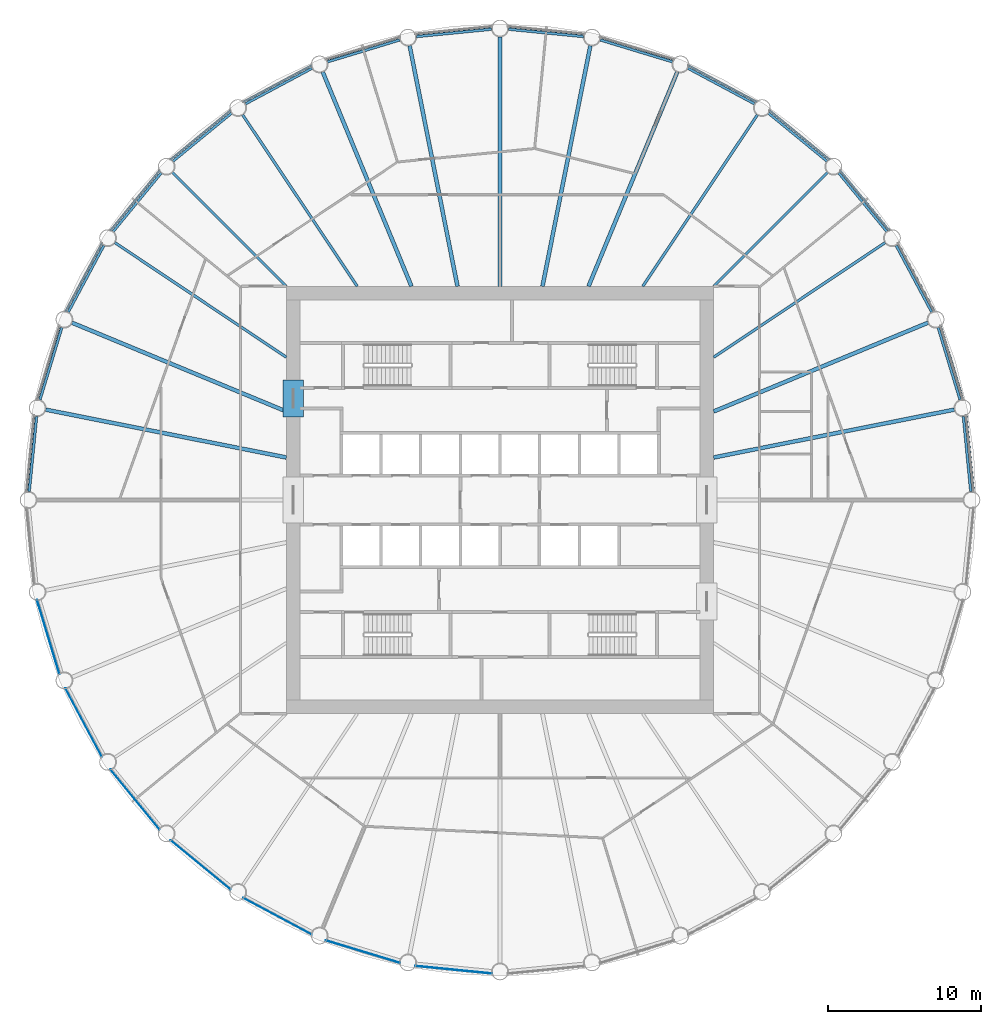
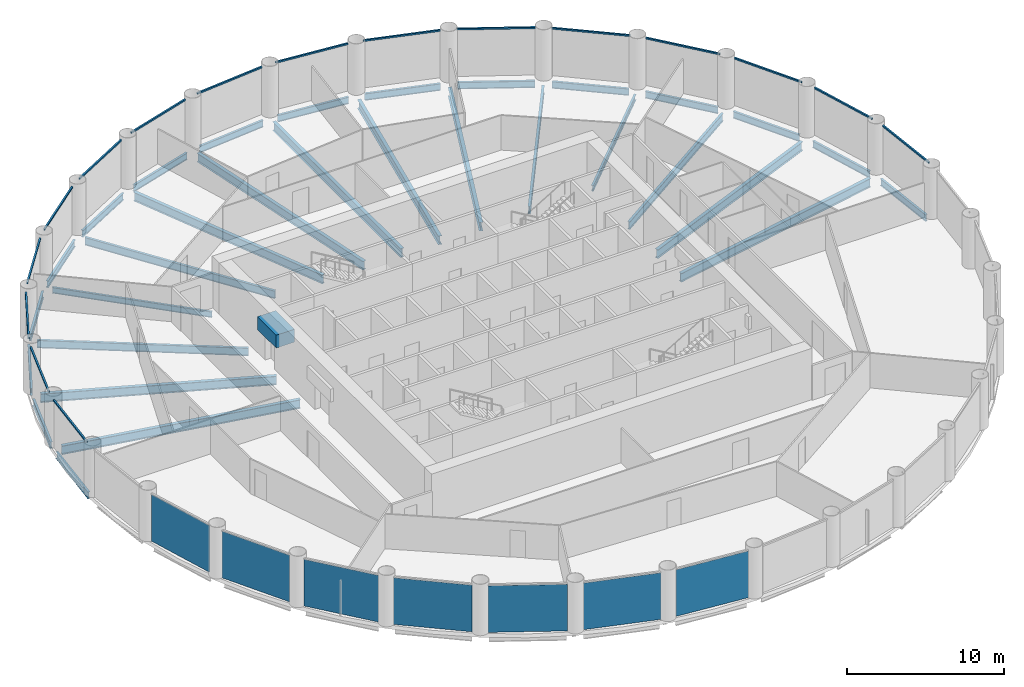
# One storey, part 2 of 9: 32 beams, 16 members, 7 plates, 23 elements without a shape of their own.
"""IFC4 building model written with IfcOpenShell, lengths in metres."""

from ifc_helpers import new_model, si_unit, direction, frame, origin, origin_2d, place, context, subcontext, project, spatial, rectangle, i_section, extrude, material, layer, layer_set, material_profile, profile_set, type_object, element, aggregate, save


model = new_model("IFC4")

# Units and contexts
model_context = context("Model", 3, precision=1e-05, world=origin(), true_north=direction((0.0, 1.0)))
body_context = subcontext(model_context, "Body", "Model", "MODEL_VIEW")
ifc_project = project(units=[si_unit("LENGTHUNIT", "METRE"), si_unit("AREAUNIT", "SQUARE_METRE"), si_unit("VOLUMEUNIT", "CUBIC_METRE"), si_unit("PLANEANGLEUNIT", "RADIAN"), si_unit("MASSUNIT", "GRAM", prefix="KILO")], contexts=[model_context])

# Site, building, storey
site_placement = place(None, origin())
site = spatial("IfcSite", under=ifc_project, at=site_placement, CompositionType="ELEMENT")
building_placement = place(site_placement, origin())
building = spatial("IfcBuilding", under=site, at=building_placement, Name="Corvane Civic Tower", CompositionType="ELEMENT")
storey_placement = place(building_placement, frame((0.0, 0.0, 184.0)))
storey = spatial("IfcBuildingStorey", under=building, at=storey_placement, Name="L43", CompositionType="ELEMENT", Elevation=184.0)

# Beams
ifc_material_1 = material(Name="Concrete C60/75", Category="concrete")
ifc_material_profile_1 = material_profile(ifc_material_1, rectangle(XDim=1.35009765625, YDim=1.0, at=origin_2d()), Name="COUPLING BEAM 1350X1000")
ifc_profile_set_1 = profile_set([ifc_material_profile_1], Name="Concrete C60/75")
beam_type_1 = type_object("IfcBeamType", Name="COUPLING BEAM COUPLING BEAM 1350X1000", PredefinedType="BEAM", material=ifc_profile_set_1)
beam_1_placement = place(storey_placement, frame((-13.550048828125, 5.449951171875, 2.60009765625), z_axis=(0.0, 1.0, 0.0), x_axis=(-1.0, 0.0, 0.0)))
element("IfcBeam", 1, at=beam_1_placement, inside=storey, type_object=beam_type_1, Name="BM-L43-cpl-CW-WN", PredefinedType="BEAM", context=body_context, shape_type="SweptSolid", body=[
    extrude(rectangle(XDim=1.35009765625, YDim=1.0, at=origin_2d()), origin(), (0.0, 0.0, 1.0), 2.400146484375),
])
ifc_material_2 = material(Name="Steel ASTM A992 Gr 50", Category="steel")
ifc_material_profile_2 = material_profile(ifc_material_2, i_section(OverallWidth=0.165771484375, OverallDepth=0.5283203125, WebThickness=0.009765625, FlangeThickness=0.013671875, at=origin_2d()), Name="W21X50")
ifc_profile_set_2 = profile_set([ifc_material_profile_2], Name="Steel ASTM A992 Gr 50")
beam_type_2 = type_object("IfcBeamType", Name="EDGE BEAM W21X50", PredefinedType="BEAM", material=ifc_profile_set_2)
beam_2_placement = place(storey_placement, frame((0.54736328125, 30.845947265625, -0.564208984375), z_axis=(0.995186236294, -0.09800181167, 0.0), x_axis=(0.09800181167, 0.995186236294, 0.0)))
element("IfcBeam", 2, at=beam_2_placement, inside=storey, type_object=beam_type_2, Name="BM-L43-E01", PredefinedType="BEAM", context=body_context, shape_type="SweptSolid", body=[
    extrude(i_section(OverallWidth=0.165771484375, OverallDepth=0.5283203125, WebThickness=0.009765625, FlangeThickness=0.013671875, at=origin_2d()), origin(), (0.0, 0.0, 1.0), 4.95751953125),
])
beam_3_placement = place(storey_placement, frame((6.5546875, 30.146484375, -0.564208984375), z_axis=(0.956944842086, -0.290269821381, 0.0), x_axis=(0.290269821381, 0.956944842086, 0.0)))
element("IfcBeam", 3, at=beam_3_placement, inside=storey, type_object=beam_type_2, Name="BM-L43-E02", PredefinedType="BEAM", context=body_context, shape_type="SweptSolid", body=[
    extrude(i_section(OverallWidth=0.165771484375, OverallDepth=0.5283203125, WebThickness=0.009765625, FlangeThickness=0.013671875, at=origin_2d()), origin(), (0.0, 0.0, 1.0), 4.957275390625),
])
for number, where, z_axis, x_axis, name in (
    (4, (12.31005859375, 28.28857421875, -0.564208984375), (0.881921784846, -0.471395763042, 0.0), (0.471395763042, 0.881921784846, 0.0), "BM-L43-E03"),
    (5, (17.59228515625, 25.343505859375, -0.564208984375), (0.77301516208, -0.634387546532, 0.0), (0.634387546532, 0.77301516208, 0.0), "BM-L43-E04"),
    (6, (22.198486328125, 21.424560546875, -0.564208984375), (0.634387546532, -0.77301516208, 0.0), (0.77301516208, 0.634387546532, 0.0), "BM-L43-E05"),
    (7, (25.95166015625, 16.68212890625, -0.564208984375), (0.471395763042, -0.881921784846, 0.0), (0.881921784846, 0.471395763042, 0.0), "BM-L43-E06"),
):
    element("IfcBeam", number, at=place(storey_placement, frame(where, z_axis=z_axis, x_axis=x_axis)), inside=storey, type_object=beam_type_2, Name=name, PredefinedType="BEAM", context=body_context, shape_type="SweptSolid", body=[
        extrude(i_section(OverallWidth=0.165771484375, OverallDepth=0.5283203125, WebThickness=0.009765625, FlangeThickness=0.013671875, at=origin_2d()), origin(), (0.0, 0.0, 1.0), 4.95751953125),
    ])
beam_4_placement = place(storey_placement, frame((28.70751953125, 11.298583984375, -0.564208984375), z_axis=(0.290269821381, -0.956944842086, 0.0), x_axis=(0.956944842086, 0.290269821381, 0.0)))
element("IfcBeam", 8, at=beam_4_placement, inside=storey, type_object=beam_type_2, Name="BM-L43-E07", PredefinedType="BEAM", context=body_context, shape_type="SweptSolid", body=[
    extrude(i_section(OverallWidth=0.165771484375, OverallDepth=0.5283203125, WebThickness=0.009765625, FlangeThickness=0.013671875, at=origin_2d()), origin(), (0.0, 0.0, 1.0), 4.957275390625),
])
for number, where, z_axis, x_axis, name in (
    (9, (30.360107421875, 5.48095703125, -0.564208984375), (0.09800181167, -0.995186236294, 0.0), (0.995186236294, 0.09800181167, 0.0), "BM-L43-E08"),
    (10, (-30.845947265625, 0.54736328125, -0.564208984375), (0.09800181167, 0.995186236294, 0.0), (-0.995186236294, 0.09800181167, 0.0), "BM-L43-E25"),
):
    element("IfcBeam", number, at=place(storey_placement, frame(where, z_axis=z_axis, x_axis=x_axis)), inside=storey, type_object=beam_type_2, Name=name, PredefinedType="BEAM", context=body_context, shape_type="SweptSolid", body=[
        extrude(i_section(OverallWidth=0.165771484375, OverallDepth=0.5283203125, WebThickness=0.009765625, FlangeThickness=0.013671875, at=origin_2d()), origin(), (0.0, 0.0, 1.0), 4.95751953125),
    ])
beam_5_placement = place(storey_placement, frame((-30.146484375, 6.5546875, -0.564208984375), z_axis=(0.290269821381, 0.956944842086, 0.0), x_axis=(-0.956944842086, 0.290269821381, 0.0)))
element("IfcBeam", 11, at=beam_5_placement, inside=storey, type_object=beam_type_2, Name="BM-L43-E26", PredefinedType="BEAM", context=body_context, shape_type="SweptSolid", body=[
    extrude(i_section(OverallWidth=0.165771484375, OverallDepth=0.5283203125, WebThickness=0.009765625, FlangeThickness=0.013671875, at=origin_2d()), origin(), (0.0, 0.0, 1.0), 4.957275390625),
])
for number, where, z_axis, x_axis, name in (
    (12, (-28.28857421875, 12.31005859375, -0.564208984375), (0.471395763042, 0.881921784846, 0.0), (-0.881921784846, 0.471395763042, 0.0), "BM-L43-E27"),
    (13, (-25.343505859375, 17.59228515625, -0.564208984375), (0.634387546532, 0.77301516208, 0.0), (-0.77301516208, 0.634387546532, 0.0), "BM-L43-E28"),
    (14, (-21.424560546875, 22.198486328125, -0.564208984375), (0.77301516208, 0.634387546532, 0.0), (-0.634387546532, 0.77301516208, 0.0), "BM-L43-E29"),
    (15, (-16.68212890625, 25.95166015625, -0.564208984375), (0.881921784846, 0.471395763042, 0.0), (-0.471395763042, 0.881921784846, 0.0), "BM-L43-E30"),
):
    element("IfcBeam", number, at=place(storey_placement, frame(where, z_axis=z_axis, x_axis=x_axis)), inside=storey, type_object=beam_type_2, Name=name, PredefinedType="BEAM", context=body_context, shape_type="SweptSolid", body=[
        extrude(i_section(OverallWidth=0.165771484375, OverallDepth=0.5283203125, WebThickness=0.009765625, FlangeThickness=0.013671875, at=origin_2d()), origin(), (0.0, 0.0, 1.0), 4.95751953125),
    ])
beam_6_placement = place(storey_placement, frame((-11.298583984375, 28.70751953125, -0.564208984375), z_axis=(0.956944842086, 0.290269821381, 0.0), x_axis=(-0.290269821381, 0.956944842086, 0.0)))
element("IfcBeam", 16, at=beam_6_placement, inside=storey, type_object=beam_type_2, Name="BM-L43-E31", PredefinedType="BEAM", context=body_context, shape_type="SweptSolid", body=[
    extrude(i_section(OverallWidth=0.165771484375, OverallDepth=0.5283203125, WebThickness=0.009765625, FlangeThickness=0.013671875, at=origin_2d()), origin(), (0.0, 0.0, 1.0), 4.957275390625),
])
beam_7_placement = place(storey_placement, frame((-5.48095703125, 30.360107421875, -0.564208984375), z_axis=(0.995186236294, 0.09800181167, 0.0), x_axis=(-0.09800181167, 0.995186236294, 0.0)))
element("IfcBeam", 17, at=beam_7_placement, inside=storey, type_object=beam_type_2, Name="BM-L43-E32", PredefinedType="BEAM", context=body_context, shape_type="SweptSolid", body=[
    extrude(i_section(OverallWidth=0.165771484375, OverallDepth=0.5283203125, WebThickness=0.009765625, FlangeThickness=0.013671875, at=origin_2d()), origin(), (0.0, 0.0, 1.0), 4.95751953125),
])
ifc_material_3 = material(Name="Steel ASTM A992 Gr 50", Category="steel")
ifc_material_profile_3 = material_profile(ifc_material_3, i_section(OverallWidth=0.15283203125, OverallDepth=0.45458984375, WebThickness=0.008056640625, FlangeThickness=0.013427734375, at=origin_2d()), Name="W18X40")
ifc_profile_set_3 = profile_set([ifc_material_profile_3], Name="Steel ASTM A992 Gr 50")
beam_type_3 = type_object("IfcBeamType", Name="FLOOR GIRDER W18X40", PredefinedType="BEAM", material=ifc_profile_set_3)
for number, where, z_axis, x_axis, name in (
    (18, (14.0, 14.0, -0.52734375), (0.707106781187, 0.707106781187, 0.0), (-0.707106781187, 0.707106781187, 0.0), "BM-L43-G05"),
    (19, (-14.0, 14.0, -0.52734375), (-0.707106781187, 0.707106781187, 0.0), (-0.707106781187, -0.707106781187, 0.0), "BM-L43-G29"),
):
    element("IfcBeam", number, at=place(storey_placement, frame(where, z_axis=z_axis, x_axis=x_axis)), inside=storey, type_object=beam_type_3, Name=name, PredefinedType="BEAM", context=body_context, shape_type="SweptSolid", body=[
        extrude(i_section(OverallWidth=0.15283203125, OverallDepth=0.45458984375, WebThickness=0.008056640625, FlangeThickness=0.013427734375, at=origin_2d()), origin(), (0.0, 0.0, 1.0), 10.551025390625),
    ])
ifc_material_4 = material(Name="Steel ASTM A992 Gr 50", Category="steel")
ifc_material_profile_4 = material_profile(ifc_material_4, i_section(OverallWidth=0.177978515625, OverallDepth=0.599365234375, WebThickness=0.010009765625, FlangeThickness=0.012939453125, at=origin_2d()), Name="W24X55")
ifc_profile_set_4 = profile_set([ifc_material_profile_4], Name="Steel ASTM A992 Gr 50")
beam_type_4 = type_object("IfcBeamType", Name="FLOOR GIRDER W24X55", PredefinedType="BEAM", material=ifc_profile_set_4)
for number, where, z_axis, x_axis, name in (
    (20, (9.3544921875, 14.0, -0.599609375), (0.555571323015, 0.83146888399, 0.0), (-0.83146888399, 0.555571323015, 0.0), "BM-L43-G04"),
    (21, (14.0, 9.3544921875, -0.599609375), (0.83146888399, 0.555571323015, 0.0), (-0.555571323015, 0.83146888399, 0.0), "BM-L43-G06"),
    (22, (-14.0, 9.3544921875, -0.599609375), (-0.83146888399, 0.555571323015, 0.0), (-0.555571323015, -0.83146888399, 0.0), "BM-L43-G28"),
    (23, (-9.3544921875, 14.0, -0.599609375), (-0.555571323015, 0.83146888399, 0.0), (-0.83146888399, -0.555571323015, 0.0), "BM-L43-G30"),
):
    element("IfcBeam", number, at=place(storey_placement, frame(where, z_axis=z_axis, x_axis=x_axis)), inside=storey, type_object=beam_type_4, Name=name, PredefinedType="BEAM", context=body_context, shape_type="SweptSolid", body=[
        extrude(i_section(OverallWidth=0.177978515625, OverallDepth=0.599365234375, WebThickness=0.010009765625, FlangeThickness=0.012939453125, at=origin_2d()), origin(), (0.0, 0.0, 1.0), 13.512451171875),
    ])
ifc_material_5 = material(Name="Steel ASTM A992 Gr 50", Category="steel")
ifc_material_profile_5 = material_profile(ifc_material_5, i_section(OverallWidth=0.25390625, OverallDepth=0.67822265625, WebThickness=0.01171875, FlangeThickness=0.016357421875, at=origin_2d()), Name="W27X84")
ifc_profile_set_5 = profile_set([ifc_material_profile_5], Name="Steel ASTM A992 Gr 50")
beam_type_5 = type_object("IfcBeamType", Name="FLOOR GIRDER W27X84", PredefinedType="BEAM", material=ifc_profile_set_5)
beam_8_placement = place(storey_placement, frame((0.0, 14.0, -0.63916015625), z_axis=(0.0, 1.0, 0.0), x_axis=(-1.0, 0.0, 0.0)))
element("IfcBeam", 24, at=beam_8_placement, inside=storey, type_object=beam_type_5, Name="BM-L43-G01", PredefinedType="BEAM", context=body_context, shape_type="SweptSolid", body=[
    extrude(i_section(OverallWidth=0.25390625, OverallDepth=0.67822265625, WebThickness=0.01171875, FlangeThickness=0.016357421875, at=origin_2d()), origin(), (0.0, 0.0, 1.0), 16.35009765625),
])
beam_9_placement = place(storey_placement, frame((2.78466796875, 14.0, -0.63916015625), z_axis=(0.195090912248, 0.980785162999, 0.0), x_axis=(-0.980785162999, 0.195090912248, 0.0)))
element("IfcBeam", 25, at=beam_9_placement, inside=storey, type_object=beam_type_5, Name="BM-L43-G02", PredefinedType="BEAM", context=body_context, shape_type="SweptSolid", body=[
    extrude(i_section(OverallWidth=0.25390625, OverallDepth=0.67822265625, WebThickness=0.01171875, FlangeThickness=0.016357421875, at=origin_2d()), origin(), (0.0, 0.0, 1.0), 16.07568359375),
])
for number, where, z_axis, x_axis, name in (
    (26, (5.799072265625, 14.0, -0.63916015625), (0.38268097323, 0.923880551114, 0.0), (-0.923880551114, 0.38268097323, 0.0), "BM-L43-G03"),
    (27, (14.0, 5.799072265625, -0.63916015625), (0.923880551114, 0.38268097323, 0.0), (-0.38268097323, 0.923880551114, 0.0), "BM-L43-G07"),
):
    element("IfcBeam", number, at=place(storey_placement, frame(where, z_axis=z_axis, x_axis=x_axis)), inside=storey, type_object=beam_type_5, Name=name, PredefinedType="BEAM", context=body_context, shape_type="SweptSolid", body=[
        extrude(i_section(OverallWidth=0.25390625, OverallDepth=0.67822265625, WebThickness=0.01171875, FlangeThickness=0.016357421875, at=origin_2d()), origin(), (0.0, 0.0, 1.0), 15.196533203125),
    ])
for number, where, z_axis, x_axis, name in (
    (28, (14.0, 2.78466796875, -0.63916015625), (0.980785162999, 0.195090912248, 0.0), (-0.195090912248, 0.980785162999, 0.0), "BM-L43-G08"),
    (29, (-14.0, 2.78466796875, -0.63916015625), (-0.980785162999, 0.195090912248, 0.0), (-0.195090912248, -0.980785162999, 0.0), "BM-L43-G26"),
):
    element("IfcBeam", number, at=place(storey_placement, frame(where, z_axis=z_axis, x_axis=x_axis)), inside=storey, type_object=beam_type_5, Name=name, PredefinedType="BEAM", context=body_context, shape_type="SweptSolid", body=[
        extrude(i_section(OverallWidth=0.25390625, OverallDepth=0.67822265625, WebThickness=0.01171875, FlangeThickness=0.016357421875, at=origin_2d()), origin(), (0.0, 0.0, 1.0), 16.07568359375),
    ])
for number, where, z_axis, x_axis, name in (
    (30, (-14.0, 5.799072265625, -0.63916015625), (-0.923880551114, 0.38268097323, 0.0), (-0.38268097323, -0.923880551114, 0.0), "BM-L43-G27"),
    (31, (-5.799072265625, 14.0, -0.63916015625), (-0.38268097323, 0.923880551114, 0.0), (-0.923880551114, -0.38268097323, 0.0), "BM-L43-G31"),
):
    element("IfcBeam", number, at=place(storey_placement, frame(where, z_axis=z_axis, x_axis=x_axis)), inside=storey, type_object=beam_type_5, Name=name, PredefinedType="BEAM", context=body_context, shape_type="SweptSolid", body=[
        extrude(i_section(OverallWidth=0.25390625, OverallDepth=0.67822265625, WebThickness=0.01171875, FlangeThickness=0.016357421875, at=origin_2d()), origin(), (0.0, 0.0, 1.0), 15.196533203125),
    ])
beam_10_placement = place(storey_placement, frame((-2.78466796875, 14.0, -0.63916015625), z_axis=(-0.195090912248, 0.980785162999, 0.0), x_axis=(-0.980785162999, -0.195090912248, 0.0)))
element("IfcBeam", 32, at=beam_10_placement, inside=storey, type_object=beam_type_5, Name="BM-L43-G32", PredefinedType="BEAM", context=body_context, shape_type="SweptSolid", body=[
    extrude(i_section(OverallWidth=0.25390625, OverallDepth=0.67822265625, WebThickness=0.01171875, FlangeThickness=0.016357421875, at=origin_2d()), origin(), (0.0, 0.0, 1.0), 16.07568359375),
])

# Curtain wall, member
ifc_material_6 = material(Name="Anodised aluminium bronze", Category="aluminium")
curtain_wall_type = type_object("IfcCurtainWallType", Name="TOWER CW-T2 STICK CURTAIN WALL", PredefinedType="NOTDEFINED", material=ifc_material_6)
curtain_wall_1_placement = place(storey_placement, origin())
curtain_wall_1 = element("IfcCurtainWall", 33, at=curtain_wall_1_placement, inside=storey, type_object=curtain_wall_type, Name="Curtain wall CW-T2 L43 bay 01", PredefinedType="NOTDEFINED")
ifc_material_7 = material(Name="Anodised aluminium bronze", Category="aluminium")
ifc_material_profile_6 = material_profile(ifc_material_7, rectangle(XDim=0.1201171875, YDim=0.1201171875, at=origin_2d()), Name="TOWER CW-T2 TRANSOM 120x120")
ifc_profile_set_6 = profile_set([ifc_material_profile_6], Name="Anodised aluminium bronze")
member_type = type_object("IfcMemberType", Name="TOWER CW-T2 TRANSOM 120x120", PredefinedType="USERDEFINED", material=ifc_profile_set_6)
member_1_placement = place(storey_placement, frame((0.505126953125, 31.0302734375, 3.68994140625), z_axis=(0.995187423416, -0.097989755963, 0.0), x_axis=(0.097989755963, 0.995187423416, 0.0)))
member_1 = element("IfcMember", 34, at=member_1_placement, type_object=member_type, Name="Transom CW-T2 L43 01.1", ObjectType="TRANSOM", PredefinedType="USERDEFINED", context=body_context, shape_type="SweptSolid", body=[
    extrude(rectangle(XDim=0.1201171875, YDim=0.1201171875, at=origin_2d()), origin(), (0.0, 0.0, 1.0), 5.07763671875),
])
aggregate(curtain_wall_1, [member_1])

curtain_wall_2_placement = place(storey_placement, origin())
curtain_wall_2 = element("IfcCurtainWall", 35, at=curtain_wall_2_placement, inside=storey, type_object=curtain_wall_type, Name="Curtain wall CW-T2 L43 bay 02", PredefinedType="NOTDEFINED")
member_2_placement = place(storey_placement, frame((6.54931640625, 30.33544921875, 3.68994140625), z_axis=(0.956939031389, -0.290288977061, 0.0), x_axis=(0.290288977061, 0.956939031389, 0.0)))
member_2 = element("IfcMember", 36, at=member_2_placement, type_object=member_type, Name="Transom CW-T2 L43 02.1", ObjectType="TRANSOM", PredefinedType="USERDEFINED", context=body_context, shape_type="SweptSolid", body=[
    extrude(rectangle(XDim=0.1201171875, YDim=0.1201171875, at=origin_2d()), origin(), (0.0, 0.0, 1.0), 5.077392578125),
])
aggregate(curtain_wall_2, [member_2])

curtain_wall_3_placement = place(storey_placement, origin())
curtain_wall_3 = element("IfcCurtainWall", 37, at=curtain_wall_3_placement, inside=storey, type_object=curtain_wall_type, Name="Curtain wall CW-T2 L43 bay 03", PredefinedType="NOTDEFINED")
member_3_placement = place(storey_placement, frame((12.341552734375, 28.474853515625, 3.68994140625), z_axis=(0.881921329426, -0.471396615074, 0.0), x_axis=(0.471396615074, 0.881921329426, 0.0)))
member_3 = element("IfcMember", 38, at=member_3_placement, type_object=member_type, Name="Transom CW-T2 L43 03.1", ObjectType="TRANSOM", PredefinedType="USERDEFINED", context=body_context, shape_type="SweptSolid", body=[
    extrude(rectangle(XDim=0.1201171875, YDim=0.1201171875, at=origin_2d()), origin(), (0.0, 0.0, 1.0), 5.07763671875),
])
aggregate(curtain_wall_3, [member_3])

curtain_wall_4_placement = place(storey_placement, origin())
curtain_wall_4 = element("IfcCurtainWall", 39, at=curtain_wall_4_placement, inside=storey, type_object=curtain_wall_type, Name="Curtain wall CW-T2 L43 bay 04", PredefinedType="NOTDEFINED")
member_4_placement = place(storey_placement, frame((17.65966796875, 25.519775390625, 3.68994140625), z_axis=(0.773015929719, -0.634386611146, 0.0), x_axis=(0.634386611146, 0.773015929719, 0.0)))
member_4 = element("IfcMember", 40, at=member_4_placement, type_object=member_type, Name="Transom CW-T2 L43 04.1", ObjectType="TRANSOM", PredefinedType="USERDEFINED", context=body_context, shape_type="SweptSolid", body=[
    extrude(rectangle(XDim=0.1201171875, YDim=0.1201171875, at=origin_2d()), origin(), (0.0, 0.0, 1.0), 5.0771484375),
])
aggregate(curtain_wall_4, [member_4])

curtain_wall_5_placement = place(storey_placement, origin())
curtain_wall_5 = element("IfcCurtainWall", 41, at=curtain_wall_5_placement, inside=storey, type_object=curtain_wall_type, Name="Curtain wall CW-T2 L43 bay 05", PredefinedType="NOTDEFINED")
member_5_placement = place(storey_placement, frame((22.298828125, 21.58447265625, 3.68994140625), z_axis=(0.634386611146, -0.773015929719, 0.0), x_axis=(0.773015929719, 0.634386611146, 0.0)))
member_5 = element("IfcMember", 42, at=member_5_placement, type_object=member_type, Name="Transom CW-T2 L43 05.1", ObjectType="TRANSOM", PredefinedType="USERDEFINED", context=body_context, shape_type="SweptSolid", body=[
    extrude(rectangle(XDim=0.1201171875, YDim=0.1201171875, at=origin_2d()), origin(), (0.0, 0.0, 1.0), 5.0771484375),
])
aggregate(curtain_wall_5, [member_5])

curtain_wall_6_placement = place(storey_placement, origin())
curtain_wall_6 = element("IfcCurtainWall", 43, at=curtain_wall_6_placement, inside=storey, type_object=curtain_wall_type, Name="Curtain wall CW-T2 L43 bay 06", PredefinedType="NOTDEFINED")
member_6_placement = place(storey_placement, frame((26.081298828125, 16.819580078125, 3.68994140625), z_axis=(0.471396615074, -0.881921329426, 0.0), x_axis=(0.881921329426, 0.471396615074, 0.0)))
member_6 = element("IfcMember", 44, at=member_6_placement, type_object=member_type, Name="Transom CW-T2 L43 06.1", ObjectType="TRANSOM", PredefinedType="USERDEFINED", context=body_context, shape_type="SweptSolid", body=[
    extrude(rectangle(XDim=0.1201171875, YDim=0.1201171875, at=origin_2d()), origin(), (0.0, 0.0, 1.0), 5.07763671875),
])
aggregate(curtain_wall_6, [member_6])

curtain_wall_7_placement = place(storey_placement, origin())
curtain_wall_7 = element("IfcCurtainWall", 45, at=curtain_wall_7_placement, inside=storey, type_object=curtain_wall_type, Name="Curtain wall CW-T2 L43 bay 07", PredefinedType="NOTDEFINED")
member_7_placement = place(storey_placement, frame((28.861572265625, 11.407958984375, 3.68994140625), z_axis=(0.290288977061, -0.956939031389, 0.0), x_axis=(0.956939031389, 0.290288977061, 0.0)))
member_7 = element("IfcMember", 46, at=member_7_placement, type_object=member_type, Name="Transom CW-T2 L43 07.1", ObjectType="TRANSOM", PredefinedType="USERDEFINED", context=body_context, shape_type="SweptSolid", body=[
    extrude(rectangle(XDim=0.1201171875, YDim=0.1201171875, at=origin_2d()), origin(), (0.0, 0.0, 1.0), 5.077392578125),
])
aggregate(curtain_wall_7, [member_7])

curtain_wall_8_placement = place(storey_placement, origin())
curtain_wall_8 = element("IfcCurtainWall", 47, at=curtain_wall_8_placement, inside=storey, type_object=curtain_wall_type, Name="Curtain wall CW-T2 L43 bay 08", PredefinedType="NOTDEFINED")
member_8_placement = place(storey_placement, frame((30.53271484375, 5.558349609375, 3.68994140625), z_axis=(0.097989755963, -0.995187423416, 0.0), x_axis=(0.995187423416, 0.097989755963, 0.0)))
member_8 = element("IfcMember", 48, at=member_8_placement, type_object=member_type, Name="Transom CW-T2 L43 08.1", ObjectType="TRANSOM", PredefinedType="USERDEFINED", context=body_context, shape_type="SweptSolid", body=[
    extrude(rectangle(XDim=0.1201171875, YDim=0.1201171875, at=origin_2d()), origin(), (0.0, 0.0, 1.0), 5.07763671875),
])
aggregate(curtain_wall_8, [member_8])

curtain_wall_9_placement = place(storey_placement, origin())
curtain_wall_9 = element("IfcCurtainWall", 49, at=curtain_wall_9_placement, inside=storey, type_object=curtain_wall_type, Name="Curtain wall CW-T2 L43 bay 25", PredefinedType="NOTDEFINED")
member_9_placement = place(storey_placement, frame((-31.0302734375, 0.505126953125, 3.68994140625), z_axis=(0.097989755963, 0.995187423416, 0.0), x_axis=(-0.995187423416, 0.097989755963, 0.0)))
member_9 = element("IfcMember", 50, at=member_9_placement, type_object=member_type, Name="Transom CW-T2 L43 25.1", ObjectType="TRANSOM", PredefinedType="USERDEFINED", context=body_context, shape_type="SweptSolid", body=[
    extrude(rectangle(XDim=0.1201171875, YDim=0.1201171875, at=origin_2d()), origin(), (0.0, 0.0, 1.0), 5.07763671875),
])
aggregate(curtain_wall_9, [member_9])

curtain_wall_10_placement = place(storey_placement, origin())
curtain_wall_10 = element("IfcCurtainWall", 51, at=curtain_wall_10_placement, inside=storey, type_object=curtain_wall_type, Name="Curtain wall CW-T2 L43 bay 26", PredefinedType="NOTDEFINED")
member_10_placement = place(storey_placement, frame((-30.33544921875, 6.54931640625, 3.68994140625), z_axis=(0.290288977061, 0.956939031389, 0.0), x_axis=(-0.956939031389, 0.290288977061, 0.0)))
member_10 = element("IfcMember", 52, at=member_10_placement, type_object=member_type, Name="Transom CW-T2 L43 26.1", ObjectType="TRANSOM", PredefinedType="USERDEFINED", context=body_context, shape_type="SweptSolid", body=[
    extrude(rectangle(XDim=0.1201171875, YDim=0.1201171875, at=origin_2d()), origin(), (0.0, 0.0, 1.0), 5.077392578125),
])
aggregate(curtain_wall_10, [member_10])

curtain_wall_11_placement = place(storey_placement, origin())
curtain_wall_11 = element("IfcCurtainWall", 53, at=curtain_wall_11_placement, inside=storey, type_object=curtain_wall_type, Name="Curtain wall CW-T2 L43 bay 27", PredefinedType="NOTDEFINED")
member_11_placement = place(storey_placement, frame((-28.474853515625, 12.341552734375, 3.68994140625), z_axis=(0.471396615074, 0.881921329426, 0.0), x_axis=(-0.881921329426, 0.471396615074, 0.0)))
member_11 = element("IfcMember", 54, at=member_11_placement, type_object=member_type, Name="Transom CW-T2 L43 27.1", ObjectType="TRANSOM", PredefinedType="USERDEFINED", context=body_context, shape_type="SweptSolid", body=[
    extrude(rectangle(XDim=0.1201171875, YDim=0.1201171875, at=origin_2d()), origin(), (0.0, 0.0, 1.0), 5.07763671875),
])
aggregate(curtain_wall_11, [member_11])

curtain_wall_12_placement = place(storey_placement, origin())
curtain_wall_12 = element("IfcCurtainWall", 55, at=curtain_wall_12_placement, inside=storey, type_object=curtain_wall_type, Name="Curtain wall CW-T2 L43 bay 28", PredefinedType="NOTDEFINED")
member_12_placement = place(storey_placement, frame((-25.519775390625, 17.65966796875, 3.68994140625), z_axis=(0.634386611146, 0.773015929719, 0.0), x_axis=(-0.773015929719, 0.634386611146, 0.0)))
member_12 = element("IfcMember", 56, at=member_12_placement, type_object=member_type, Name="Transom CW-T2 L43 28.1", ObjectType="TRANSOM", PredefinedType="USERDEFINED", context=body_context, shape_type="SweptSolid", body=[
    extrude(rectangle(XDim=0.1201171875, YDim=0.1201171875, at=origin_2d()), origin(), (0.0, 0.0, 1.0), 5.0771484375),
])
aggregate(curtain_wall_12, [member_12])

curtain_wall_13_placement = place(storey_placement, origin())
curtain_wall_13 = element("IfcCurtainWall", 57, at=curtain_wall_13_placement, inside=storey, type_object=curtain_wall_type, Name="Curtain wall CW-T2 L43 bay 29", PredefinedType="NOTDEFINED")
member_13_placement = place(storey_placement, frame((-21.58447265625, 22.298828125, 3.68994140625), z_axis=(0.773015929719, 0.634386611146, 0.0), x_axis=(-0.634386611146, 0.773015929719, 0.0)))
member_13 = element("IfcMember", 58, at=member_13_placement, type_object=member_type, Name="Transom CW-T2 L43 29.1", ObjectType="TRANSOM", PredefinedType="USERDEFINED", context=body_context, shape_type="SweptSolid", body=[
    extrude(rectangle(XDim=0.1201171875, YDim=0.1201171875, at=origin_2d()), origin(), (0.0, 0.0, 1.0), 5.0771484375),
])
aggregate(curtain_wall_13, [member_13])

curtain_wall_14_placement = place(storey_placement, origin())
curtain_wall_14 = element("IfcCurtainWall", 59, at=curtain_wall_14_placement, inside=storey, type_object=curtain_wall_type, Name="Curtain wall CW-T2 L43 bay 30", PredefinedType="NOTDEFINED")
member_14_placement = place(storey_placement, frame((-16.819580078125, 26.081298828125, 3.68994140625), z_axis=(0.881921329426, 0.471396615074, 0.0), x_axis=(-0.471396615074, 0.881921329426, 0.0)))
member_14 = element("IfcMember", 60, at=member_14_placement, type_object=member_type, Name="Transom CW-T2 L43 30.1", ObjectType="TRANSOM", PredefinedType="USERDEFINED", context=body_context, shape_type="SweptSolid", body=[
    extrude(rectangle(XDim=0.1201171875, YDim=0.1201171875, at=origin_2d()), origin(), (0.0, 0.0, 1.0), 5.07763671875),
])
aggregate(curtain_wall_14, [member_14])

curtain_wall_15_placement = place(storey_placement, origin())
curtain_wall_15 = element("IfcCurtainWall", 61, at=curtain_wall_15_placement, inside=storey, type_object=curtain_wall_type, Name="Curtain wall CW-T2 L43 bay 31", PredefinedType="NOTDEFINED")
member_15_placement = place(storey_placement, frame((-11.407958984375, 28.861572265625, 3.68994140625), z_axis=(0.956939031389, 0.290288977061, 0.0), x_axis=(-0.290288977061, 0.956939031389, 0.0)))
member_15 = element("IfcMember", 62, at=member_15_placement, type_object=member_type, Name="Transom CW-T2 L43 31.1", ObjectType="TRANSOM", PredefinedType="USERDEFINED", context=body_context, shape_type="SweptSolid", body=[
    extrude(rectangle(XDim=0.1201171875, YDim=0.1201171875, at=origin_2d()), origin(), (0.0, 0.0, 1.0), 5.077392578125),
])
aggregate(curtain_wall_15, [member_15])

curtain_wall_16_placement = place(storey_placement, origin())
curtain_wall_16 = element("IfcCurtainWall", 63, at=curtain_wall_16_placement, inside=storey, type_object=curtain_wall_type, Name="Curtain wall CW-T2 L43 bay 32", PredefinedType="NOTDEFINED")
member_16_placement = place(storey_placement, frame((-5.558349609375, 30.53271484375, 3.68994140625), z_axis=(0.995187423416, 0.097989755963, 0.0), x_axis=(-0.097989755963, 0.995187423416, 0.0)))
member_16 = element("IfcMember", 64, at=member_16_placement, type_object=member_type, Name="Transom CW-T2 L43 32.1", ObjectType="TRANSOM", PredefinedType="USERDEFINED", context=body_context, shape_type="SweptSolid", body=[
    extrude(rectangle(XDim=0.1201171875, YDim=0.1201171875, at=origin_2d()), origin(), (0.0, 0.0, 1.0), 5.07763671875),
])
aggregate(curtain_wall_16, [member_16])

# Curtain wall, plate
curtain_wall_17_placement = place(storey_placement, origin())
curtain_wall_17 = element("IfcCurtainWall", 65, at=curtain_wall_17_placement, inside=storey, type_object=curtain_wall_type, Name="Curtain wall CW-T2 L43 bay 17", PredefinedType="NOTDEFINED")
ifc_material_8 = material(Name="Tinted glass", Category="glass")
ifc_layer = layer(ifc_material_8, 0.031982421875)
ifc_layer_set = layer_set([ifc_layer], Name="Tinted glass")
plate_type = type_object("IfcPlateType", Name="TOWER CW-T2 PANEL IGU32", PredefinedType="CURTAIN_PANEL", material=ifc_layer_set)
plate_1_placement = place(storey_placement, frame((-3.03173828125, -30.781494140625, 0.0), z_axis=(0.0, 0.0, 1.0), x_axis=(-0.995185244531, 0.098011882274, 0.0)))
plate_1 = element("IfcPlate", 66, at=plate_1_placement, type_object=plate_type, Name="Glass panel CW-T2 L43 17.1", PredefinedType="CURTAIN_PANEL", context=body_context, shape_type="SweptSolid", body=[
    extrude(rectangle(XDim=5.07763671875, YDim=0.031982421875, at=origin_2d()), origin(), (0.0, 0.0, 1.0), 3.6298828125),
])
aggregate(curtain_wall_17, [plate_1])

curtain_wall_18_placement = place(storey_placement, origin())
curtain_wall_18 = element("IfcCurtainWall", 67, at=curtain_wall_18_placement, inside=storey, type_object=curtain_wall_type, Name="Curtain wall CW-T2 L43 bay 18", PredefinedType="NOTDEFINED")
plate_2_placement = place(storey_placement, frame((-8.978515625, -29.5986328125, 0.0), z_axis=(0.0, 0.0, 1.0), x_axis=(-0.956931677007, 0.290313219714, 0.0)))
plate_2 = element("IfcPlate", 68, at=plate_2_placement, type_object=plate_type, Name="Glass panel CW-T2 L43 18.1", PredefinedType="CURTAIN_PANEL", context=body_context, shape_type="SweptSolid", body=[
    extrude(rectangle(XDim=5.077392578125, YDim=0.031982421875, at=origin_2d()), origin(), (0.0, 0.0, 1.0), 3.6298828125),
])
aggregate(curtain_wall_18, [plate_2])

curtain_wall_19_placement = place(storey_placement, origin())
curtain_wall_19 = element("IfcCurtainWall", 69, at=curtain_wall_19_placement, inside=storey, type_object=curtain_wall_type, Name="Curtain wall CW-T2 L43 bay 19", PredefinedType="NOTDEFINED")
plate_3_placement = place(storey_placement, frame((-14.58056640625, -27.278076171875, 0.0), z_axis=(0.0, 0.0, 1.0), x_axis=(-0.881922190434, 0.471395004238, 0.0)))
plate_3 = element("IfcPlate", 70, at=plate_3_placement, type_object=plate_type, Name="Glass panel CW-T2 L43 19.1", PredefinedType="CURTAIN_PANEL", context=body_context, shape_type="SweptSolid", body=[
    extrude(rectangle(XDim=5.077392578125, YDim=0.031982421875, at=origin_2d()), origin(), (0.0, 0.0, 1.0), 3.6298828125),
])
aggregate(curtain_wall_19, [plate_3])

curtain_wall_20_placement = place(storey_placement, origin())
curtain_wall_20 = element("IfcCurtainWall", 71, at=curtain_wall_20_placement, inside=storey, type_object=curtain_wall_type, Name="Curtain wall CW-T2 L43 bay 20", PredefinedType="NOTDEFINED")
plate_4_placement = place(storey_placement, frame((-19.6220703125, -23.909423828125, 0.0), z_axis=(0.0, 0.0, 1.0), x_axis=(-0.773004844196, 0.634400118891, 0.0)))
plate_4 = element("IfcPlate", 72, at=plate_4_placement, type_object=plate_type, Name="Glass panel CW-T2 L43 20.1", PredefinedType="CURTAIN_PANEL", context=body_context, shape_type="SweptSolid", body=[
    extrude(rectangle(XDim=5.0771484375, YDim=0.031982421875, at=origin_2d()), origin(), (0.0, 0.0, 1.0), 3.6298828125),
])
aggregate(curtain_wall_20, [plate_4])

curtain_wall_21_placement = place(storey_placement, origin())
curtain_wall_21 = element("IfcCurtainWall", 73, at=curtain_wall_21_placement, inside=storey, type_object=curtain_wall_type, Name="Curtain wall CW-T2 L43 bay 21", PredefinedType="NOTDEFINED")
plate_5_placement = place(storey_placement, frame((-23.909423828125, -19.6220703125, 0.0), z_axis=(0.0, 0.0, 1.0), x_axis=(-0.634400118891, 0.773004844196, 0.0)))
plate_5 = element("IfcPlate", 74, at=plate_5_placement, type_object=plate_type, Name="Glass panel CW-T2 L43 21.1", PredefinedType="CURTAIN_PANEL", context=body_context, shape_type="SweptSolid", body=[
    extrude(rectangle(XDim=5.0771484375, YDim=0.031982421875, at=origin_2d()), origin(), (0.0, 0.0, 1.0), 3.6298828125),
])
aggregate(curtain_wall_21, [plate_5])

curtain_wall_22_placement = place(storey_placement, origin())
curtain_wall_22 = element("IfcCurtainWall", 75, at=curtain_wall_22_placement, inside=storey, type_object=curtain_wall_type, Name="Curtain wall CW-T2 L43 bay 22", PredefinedType="NOTDEFINED")
plate_6_placement = place(storey_placement, frame((-27.278076171875, -14.58056640625, 0.0), z_axis=(0.0, 0.0, 1.0), x_axis=(-0.471395004238, 0.881922190434, 0.0)))
plate_6 = element("IfcPlate", 76, at=plate_6_placement, type_object=plate_type, Name="Glass panel CW-T2 L43 22.1", PredefinedType="CURTAIN_PANEL", context=body_context, shape_type="SweptSolid", body=[
    extrude(rectangle(XDim=5.077392578125, YDim=0.031982421875, at=origin_2d()), origin(), (0.0, 0.0, 1.0), 3.6298828125),
])
aggregate(curtain_wall_22, [plate_6])

curtain_wall_23_placement = place(storey_placement, origin())
curtain_wall_23 = element("IfcCurtainWall", 77, at=curtain_wall_23_placement, inside=storey, type_object=curtain_wall_type, Name="Curtain wall CW-T2 L43 bay 23", PredefinedType="NOTDEFINED")
plate_7_placement = place(storey_placement, frame((-29.5986328125, -8.978515625, 0.0), z_axis=(0.0, 0.0, 1.0), x_axis=(-0.290313219714, 0.956931677007, 0.0)))
plate_7 = element("IfcPlate", 78, at=plate_7_placement, type_object=plate_type, Name="Glass panel CW-T2 L43 23.1", PredefinedType="CURTAIN_PANEL", context=body_context, shape_type="SweptSolid", body=[
    extrude(rectangle(XDim=5.077392578125, YDim=0.031982421875, at=origin_2d()), origin(), (0.0, 0.0, 1.0), 3.6298828125),
])
aggregate(curtain_wall_23, [plate_7])

save(model, "model.ifc")
